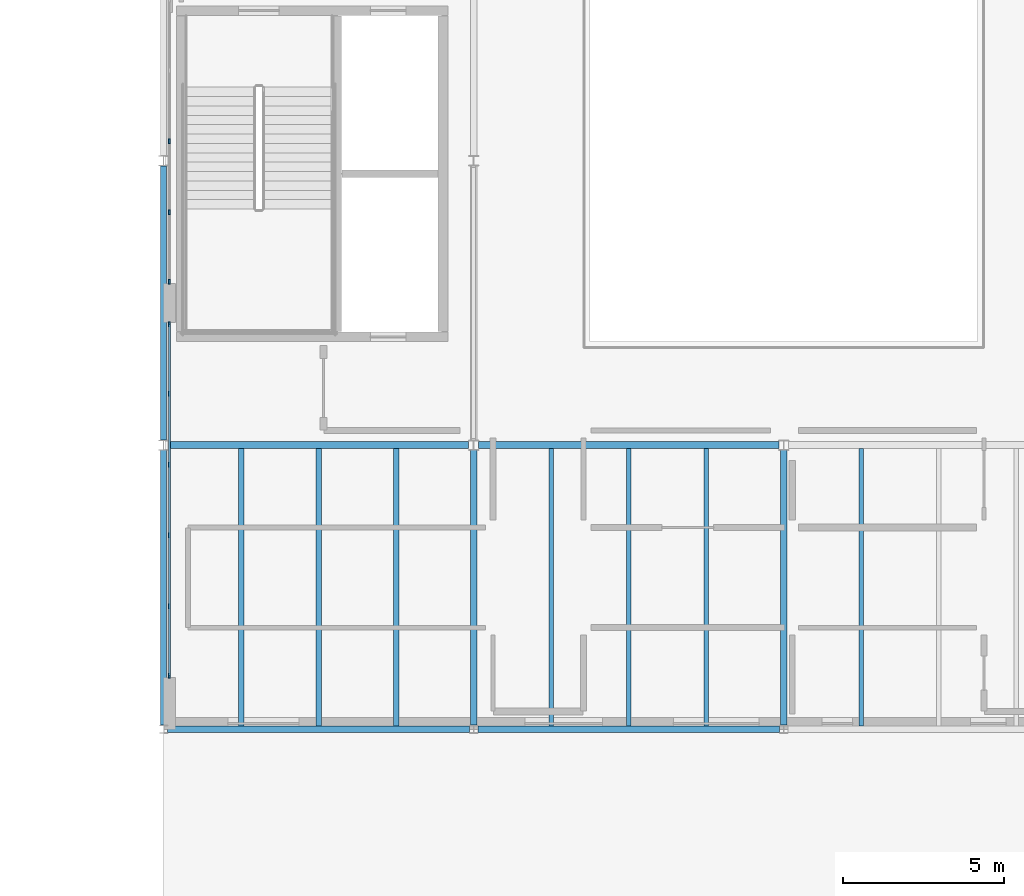
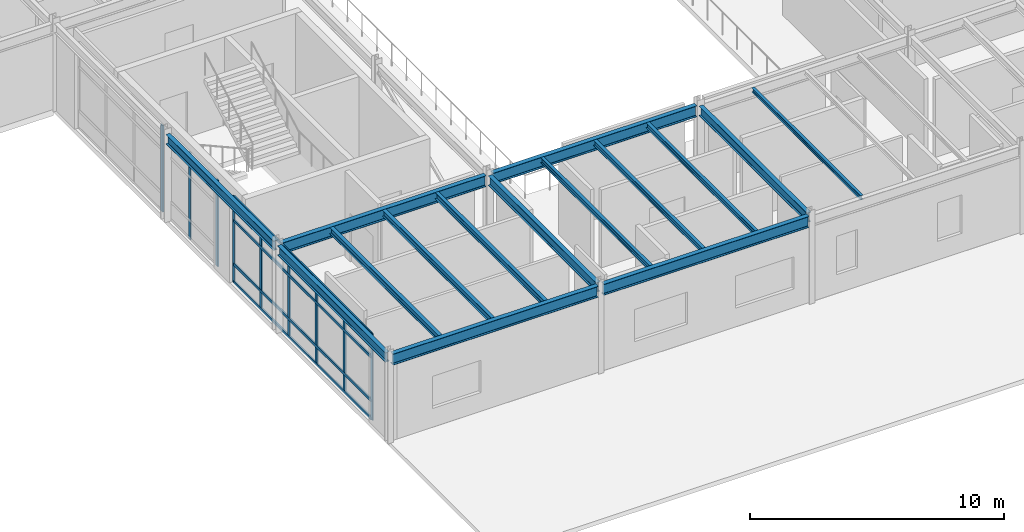
# One storey, part 20 of 69: 15 beams, 13 members, 2 elements without a shape of their own.
"""IFC4 building model written with IfcOpenShell, lengths in metres."""

from ifc_helpers import new_model, si_unit, direction, frame, origin, origin_2d, place, context, subcontext, project, spatial, rectangle, i_section, extrude, material, material_profile, profile_set, type_object, element, aggregate, save


model = new_model("IFC4")

# Units and contexts
model_context = context("Model", 3, precision=1e-05, world=origin(), true_north=direction((0.0, 1.0)))
body_context = subcontext(model_context, "Body", "Model", "MODEL_VIEW")
ifc_project = project(units=[si_unit("LENGTHUNIT", "METRE"), si_unit("AREAUNIT", "SQUARE_METRE"), si_unit("VOLUMEUNIT", "CUBIC_METRE"), si_unit("PLANEANGLEUNIT", "RADIAN"), si_unit("MASSUNIT", "GRAM", prefix="KILO")], contexts=[model_context])

# Site, building, storey
site_placement = place(None, origin())
site = spatial("IfcSite", under=ifc_project, at=site_placement, CompositionType="ELEMENT")
building_placement = place(site_placement, origin())
building = spatial("IfcBuilding", under=site, at=building_placement, Name="Sarnbrook Museum", CompositionType="ELEMENT")
storey_placement = place(building_placement, frame((0.0, 0.0, 14.60009765625)))
storey = spatial("IfcBuildingStorey", under=building, at=storey_placement, Name="L03", CompositionType="ELEMENT", Elevation=14.60009765625)

# Beams
ifc_material_1 = material(Name="Structural Steel Grade 300PLUS (AS/NZS 3679.1, fy = 280 MPa for 17 < t <= 40 mm, 300 MPa for t <= 17 mm)", Category="steel")
ifc_material_profile_1 = material_profile(ifc_material_1, i_section(OverallWidth=0.18994140625, OverallDepth=0.45703125, WebThickness=0.009033203125, FlangeThickness=0.014404296875, FilletRadius=0.011474609375, at=origin_2d()), Name="460UB74.6")
ifc_profile_set_1 = profile_set([ifc_material_profile_1], Name="Structural Steel Grade 300PLUS (AS/NZS 3679.1, fy = 280 MPa for 17 < t <= 40 mm, 300 MPa for t <= 17 mm)")
beam_type_1 = type_object("IfcBeamType", Name="BM-UB460", PredefinedType="BEAM", material=ifc_profile_set_1)
beam_1_placement = place(storey_placement, frame((80.800048828125, 48.126953125, 4.00146484375), z_axis=(0.0, 1.0, 0.0), x_axis=(-1.0, 0.0, 0.0)))
element("IfcBeam", 1, at=beam_1_placement, inside=storey, type_object=beam_type_1, Name="Girder 9:F-G L03", PredefinedType="BEAM", context=body_context, shape_type="SweptSolid", body=[
    extrude(i_section(OverallWidth=0.18994140625, OverallDepth=0.45703125, WebThickness=0.009033203125, FlangeThickness=0.014404296875, FilletRadius=0.011474609375, at=origin_2d()), origin(), (0.0, 0.0, 1.0), 8.515625),
])
beam_2_placement = place(storey_placement, frame((80.800048828125, 56.95751953125, 4.021484375), z_axis=(0.0, 1.0, 0.0), x_axis=(-1.0, 0.0, 0.0)))
element("IfcBeam", 2, at=beam_2_placement, inside=storey, type_object=beam_type_1, Name="Girder 9:G-H L03", PredefinedType="BEAM", context=body_context, shape_type="SweptSolid", body=[
    extrude(i_section(OverallWidth=0.18994140625, OverallDepth=0.45703125, WebThickness=0.009033203125, FlangeThickness=0.014404296875, FilletRadius=0.011474609375, at=origin_2d()), origin(), (0.0, 0.0, 1.0), 8.48486328125),
])
for number, where, z_axis, x_axis, name in (
    (3, (90.39990234375, 48.126953125, 4.00146484375), (0.0, 1.0, 0.0), (-1.0, 0.0, 0.0), "Girder 10:F-G L03"),
    (4, (100.0, 48.126953125, 4.00146484375), (0.0, 1.0, 0.0), (-1.0, 0.0, 0.0), "Girder 11:F-G L03"),
):
    element("IfcBeam", number, at=place(storey_placement, frame(where, z_axis=z_axis, x_axis=x_axis)), inside=storey, type_object=beam_type_1, Name=name, PredefinedType="BEAM", context=body_context, shape_type="SweptSolid", body=[
        extrude(i_section(OverallWidth=0.18994140625, OverallDepth=0.45703125, WebThickness=0.009033203125, FlangeThickness=0.014404296875, FilletRadius=0.011474609375, at=origin_2d()), origin(), (0.0, 0.0, 1.0), 8.515625),
    ])
ifc_material_profile_2 = material_profile(ifc_material_1, i_section(OverallWidth=0.208984375, OverallDepth=0.532958984375, WebThickness=0.01025390625, FlangeThickness=0.015625, FilletRadius=0.013916015625, at=origin_2d()), Name="530UB92.4")
ifc_profile_set_2 = profile_set([ifc_material_profile_2], Name="Structural Steel Grade 300PLUS (AS/NZS 3679.1, fy = 280 MPa for 17 < t <= 40 mm, 300 MPa for t <= 17 mm)")
beam_type_2 = type_object("IfcBeamType", Name="BM-UB530", PredefinedType="BEAM", material=ifc_profile_set_2)
for number, where, z_axis, x_axis, name in (
    (5, (80.927001953125, 48.0, 3.96337890625), (1.0, 0.0, 0.0), (0.0, 1.0, 0.0), "Girder F:9-10 L03"),
    (6, (90.527099609375, 48.0, 3.96337890625), (1.0, 0.0, 0.0), (0.0, 1.0, 0.0), "Girder F:10-11 L03"),
):
    element("IfcBeam", number, at=place(storey_placement, frame(where, z_axis=z_axis, x_axis=x_axis)), inside=storey, type_object=beam_type_2, Name=name, PredefinedType="BEAM", context=body_context, shape_type="SweptSolid", body=[
        extrude(i_section(OverallWidth=0.208984375, OverallDepth=0.532958984375, WebThickness=0.01025390625, FlangeThickness=0.015625, FilletRadius=0.013916015625, at=origin_2d()), origin(), (0.0, 0.0, 1.0), 9.345947265625),
    ])
for number, where, z_axis, x_axis, name in (
    (7, (80.95361328125, 56.800048828125, 3.96337890625), (1.0, 0.0, 0.0), (0.0, 1.0, 0.0), "Girder G:9-10 L03"),
    (8, (90.553466796875, 56.800048828125, 3.96337890625), (1.0, 0.0, 0.0), (0.0, 1.0, 0.0), "Girder G:10-11 L03"),
):
    element("IfcBeam", number, at=place(storey_placement, frame(where, z_axis=z_axis, x_axis=x_axis)), inside=storey, type_object=beam_type_2, Name=name, PredefinedType="BEAM", context=body_context, shape_type="SweptSolid", body=[
        extrude(i_section(OverallWidth=0.208984375, OverallDepth=0.532958984375, WebThickness=0.01025390625, FlangeThickness=0.015625, FilletRadius=0.013916015625, at=origin_2d()), origin(), (0.0, 0.0, 1.0), 9.29296875),
    ])

# Curtain wall, members
ifc_material_2 = material(Name="Thermally Broken Anodised Aluminium 6063-T6", Category="aluminium")
curtain_wall_type = type_object("IfcCurtainWallType", Name="CurtainWall_GalleryRibbon", PredefinedType="NOTDEFINED", material=ifc_material_2)
curtain_wall_1_placement = place(storey_placement, origin())
curtain_wall_1 = element("IfcCurtainWall", 9, at=curtain_wall_1_placement, inside=storey, type_object=curtain_wall_type, Name="Gallery Ribbon Curtain Wall L03-2.1", PredefinedType="NOTDEFINED")
ifc_material_profile_3 = material_profile(ifc_material_2, rectangle(XDim=0.06005859375, YDim=0.159912109375, at=origin_2d()), Name="ALU MULLION 60x160")
ifc_profile_set_3 = profile_set([ifc_material_profile_3], Name="Thermally Broken Anodised Aluminium 6063-T6")
member_type_1 = type_object("IfcMemberType", Name="CW_Mullion_150x65", PredefinedType="MULLION", material=ifc_profile_set_3)
member_1_placement = place(storey_placement, frame((80.97998046875, 66.2041015625, 0.0), z_axis=(0.0, 0.0, 1.0), x_axis=(1.0, 0.0, 0.0)))
member_1 = element("IfcMember", 10, at=member_1_placement, type_object=member_type_1, Name="Gallery Ribbon Curtain Wall L03-2.1 Mullion 4", PredefinedType="MULLION", context=body_context, shape_type="SweptSolid", body=[
    extrude(rectangle(XDim=0.06005859375, YDim=0.159912109375, at=origin_2d()), origin(), (0.0, 0.0, 1.0), 4.159912109375),
])
member_2_placement = place(storey_placement, frame((80.97998046875, 64.011962890625, 0.0), z_axis=(0.0, 0.0, 1.0), x_axis=(1.0, 0.0, 0.0)))
member_2 = element("IfcMember", 11, at=member_2_placement, type_object=member_type_1, Name="Gallery Ribbon Curtain Wall L03-2.1 Mullion 5", PredefinedType="MULLION", context=body_context, shape_type="SweptSolid", body=[
    extrude(rectangle(XDim=0.06005859375, YDim=0.159912109375, at=origin_2d()), origin(), (0.0, 0.0, 1.0), 4.159912109375),
])
member_3_placement = place(storey_placement, frame((80.97998046875, 61.860107421875, 0.0), z_axis=(0.0, 0.0, 1.0), x_axis=(1.0, 0.0, 0.0)))
member_3 = element("IfcMember", 12, at=member_3_placement, type_object=member_type_1, Name="Gallery Ribbon Curtain Wall L03-2.1 Mullion 6", PredefinedType="MULLION", context=body_context, shape_type="SweptSolid", body=[
    extrude(rectangle(XDim=0.06005859375, YDim=0.159912109375, at=origin_2d()), origin(), (0.0, 0.0, 1.0), 4.159912109375),
])
aggregate(curtain_wall_1, [member_1, member_2, member_3])

curtain_wall_2_placement = place(storey_placement, origin())
curtain_wall_2 = element("IfcCurtainWall", 13, at=curtain_wall_2_placement, inside=storey, type_object=curtain_wall_type, Name="Gallery Ribbon Curtain Wall L03-2.2", PredefinedType="NOTDEFINED")
member_4_placement = place(storey_placement, frame((80.97998046875, 60.5400390625, 0.0), z_axis=(0.0, 0.0, 1.0), x_axis=(1.0, 0.0, 0.0)))
member_4 = element("IfcMember", 14, at=member_4_placement, type_object=member_type_1, Name="Gallery Ribbon Curtain Wall L03-2.2 Mullion 1", PredefinedType="MULLION", context=body_context, shape_type="SweptSolid", body=[
    extrude(rectangle(XDim=0.06005859375, YDim=0.159912109375, at=origin_2d()), origin(), (0.0, 0.0, 1.0), 4.159912109375),
])
member_5_placement = place(storey_placement, frame((80.97998046875, 58.387939453125, 0.0), z_axis=(0.0, 0.0, 1.0), x_axis=(1.0, 0.0, 0.0)))
member_5 = element("IfcMember", 15, at=member_5_placement, type_object=member_type_1, Name="Gallery Ribbon Curtain Wall L03-2.2 Mullion 2", PredefinedType="MULLION", context=body_context, shape_type="SweptSolid", body=[
    extrude(rectangle(XDim=0.06005859375, YDim=0.159912109375, at=origin_2d()), origin(), (0.0, 0.0, 1.0), 4.159912109375),
])
member_6_placement = place(storey_placement, frame((80.97998046875, 56.196044921875, 0.0), z_axis=(0.0, 0.0, 1.0), x_axis=(1.0, 0.0, 0.0)))
member_6 = element("IfcMember", 16, at=member_6_placement, type_object=member_type_1, Name="Gallery Ribbon Curtain Wall L03-2.2 Mullion 3", PredefinedType="MULLION", context=body_context, shape_type="SweptSolid", body=[
    extrude(rectangle(XDim=0.06005859375, YDim=0.159912109375, at=origin_2d()), origin(), (0.0, 0.0, 1.0), 4.159912109375),
])
member_7_placement = place(storey_placement, frame((80.97998046875, 54.00390625, 0.0), z_axis=(0.0, 0.0, 1.0), x_axis=(1.0, 0.0, 0.0)))
member_7 = element("IfcMember", 17, at=member_7_placement, type_object=member_type_1, Name="Gallery Ribbon Curtain Wall L03-2.2 Mullion 4", PredefinedType="MULLION", context=body_context, shape_type="SweptSolid", body=[
    extrude(rectangle(XDim=0.06005859375, YDim=0.159912109375, at=origin_2d()), origin(), (0.0, 0.0, 1.0), 4.159912109375),
])
member_8_placement = place(storey_placement, frame((80.97998046875, 51.81201171875, 0.0), z_axis=(0.0, 0.0, 1.0), x_axis=(1.0, 0.0, 0.0)))
member_8 = element("IfcMember", 18, at=member_8_placement, type_object=member_type_1, Name="Gallery Ribbon Curtain Wall L03-2.2 Mullion 5", PredefinedType="MULLION", context=body_context, shape_type="SweptSolid", body=[
    extrude(rectangle(XDim=0.06005859375, YDim=0.159912109375, at=origin_2d()), origin(), (0.0, 0.0, 1.0), 4.159912109375),
])
member_9_placement = place(storey_placement, frame((80.97998046875, 49.659912109375, 0.0), z_axis=(0.0, 0.0, 1.0), x_axis=(1.0, 0.0, 0.0)))
member_9 = element("IfcMember", 19, at=member_9_placement, type_object=member_type_1, Name="Gallery Ribbon Curtain Wall L03-2.2 Mullion 6", PredefinedType="MULLION", context=body_context, shape_type="SweptSolid", body=[
    extrude(rectangle(XDim=0.06005859375, YDim=0.159912109375, at=origin_2d()), origin(), (0.0, 0.0, 1.0), 4.159912109375),
])
ifc_material_profile_4 = material_profile(ifc_material_2, rectangle(XDim=0.06494140625, YDim=0.139892578125, at=origin_2d()), Name="ALU TRANSOM 65x140")
ifc_profile_set_4 = profile_set([ifc_material_profile_4], Name="Thermally Broken Anodised Aluminium 6063-T6")
member_type_2 = type_object("IfcMemberType", Name="CW_Transom_150x65", PredefinedType="USERDEFINED", material=ifc_profile_set_4)
member_10_placement = place(storey_placement, frame((80.97998046875, 60.530029296875, 0.039794921875), z_axis=(0.0, -1.0, 0.0), x_axis=(1.0, 0.0, 0.0)))
member_10 = element("IfcMember", 20, at=member_10_placement, type_object=member_type_2, Name="Gallery Ribbon Curtain Wall L03-2.2 Transom 1", ObjectType="TRANSOM", PredefinedType="USERDEFINED", context=body_context, shape_type="SweptSolid", body=[
    extrude(rectangle(XDim=0.06494140625, YDim=0.139892578125, at=origin_2d()), origin(), (0.0, 0.0, 1.0), 10.860107421875),
])
member_11_placement = place(storey_placement, frame((80.97998046875, 60.530029296875, 0.89990234375), z_axis=(0.0, -1.0, 0.0), x_axis=(1.0, 0.0, 0.0)))
member_11 = element("IfcMember", 21, at=member_11_placement, type_object=member_type_2, Name="Gallery Ribbon Curtain Wall L03-2.2 Transom 2", ObjectType="TRANSOM", PredefinedType="USERDEFINED", context=body_context, shape_type="SweptSolid", body=[
    extrude(rectangle(XDim=0.06494140625, YDim=0.139892578125, at=origin_2d()), origin(), (0.0, 0.0, 1.0), 10.860107421875),
])
member_12_placement = place(storey_placement, frame((80.97998046875, 60.530029296875, 3.0), z_axis=(0.0, -1.0, 0.0), x_axis=(1.0, 0.0, 0.0)))
member_12 = element("IfcMember", 22, at=member_12_placement, type_object=member_type_2, Name="Gallery Ribbon Curtain Wall L03-2.2 Transom 3", ObjectType="TRANSOM", PredefinedType="USERDEFINED", context=body_context, shape_type="SweptSolid", body=[
    extrude(rectangle(XDim=0.06494140625, YDim=0.139892578125, at=origin_2d()), origin(), (0.0, 0.0, 1.0), 10.860107421875),
])
member_13_placement = place(storey_placement, frame((80.97998046875, 60.530029296875, 4.119873046875), z_axis=(0.0, -1.0, 0.0), x_axis=(1.0, 0.0, 0.0)))
member_13 = element("IfcMember", 23, at=member_13_placement, type_object=member_type_2, Name="Gallery Ribbon Curtain Wall L03-2.2 Transom 4", ObjectType="TRANSOM", PredefinedType="USERDEFINED", context=body_context, shape_type="SweptSolid", body=[
    extrude(rectangle(XDim=0.06494140625, YDim=0.139892578125, at=origin_2d()), origin(), (0.0, 0.0, 1.0), 10.860107421875),
])
aggregate(curtain_wall_2, [member_4, member_5, member_6, member_7, member_8, member_9, member_10, member_11, member_12, member_13])

# Beams
ifc_material_profile_5 = material_profile(ifc_material_1, i_section(OverallWidth=0.134033203125, OverallDepth=0.20703125, WebThickness=0.00634765625, FlangeThickness=0.009521484375, FilletRadius=0.0087890625, at=origin_2d()), Name="200UB29.8")
ifc_profile_set_5 = profile_set([ifc_material_profile_5], Name="Structural Steel Grade 300PLUS (AS/NZS 3679.1, fy = 280 MPa for 17 < t <= 40 mm, 300 MPa for t <= 17 mm)")
beam_type_3 = type_object("IfcBeamType", Name="JS-UB200", PredefinedType="JOIST", material=ifc_profile_set_5)
beam_3_placement = place(storey_placement, frame((102.39990234375, 48.1044921875, 4.12646484375), z_axis=(0.0, 1.0, 0.0), x_axis=(-1.0, 0.0, 0.0)))
element("IfcBeam", 24, at=beam_3_placement, inside=storey, type_object=beam_type_3, Name="Composite Floor Joist 11F-1 L03", PredefinedType="JOIST", context=body_context, shape_type="SweptSolid", body=[
    extrude(i_section(OverallWidth=0.134033203125, OverallDepth=0.20703125, WebThickness=0.00634765625, FlangeThickness=0.009521484375, FilletRadius=0.0087890625, at=origin_2d()), origin(), (0.0, 0.0, 1.0), 8.591064453125),
])
ifc_material_profile_6 = material_profile(ifc_material_1, i_section(OverallWidth=0.14599609375, OverallDepth=0.256103515625, WebThickness=0.00634765625, FlangeThickness=0.010986328125, FilletRadius=0.0087890625, at=origin_2d()), Name="250UB37.3")
ifc_profile_set_6 = profile_set([ifc_material_profile_6], Name="Structural Steel Grade 300PLUS (AS/NZS 3679.1, fy = 280 MPa for 17 < t <= 40 mm, 300 MPa for t <= 17 mm)")
beam_type_4 = type_object("IfcBeamType", Name="JS-UB250", PredefinedType="JOIST", material=ifc_profile_set_6)
for number, where, z_axis, x_axis, name in (
    (25, (92.800048828125, 48.1044921875, 4.101806640625), (0.0, 1.0, 0.0), (-1.0, 0.0, 0.0), "Composite Floor Joist 10F-1 L03"),
    (26, (95.199951171875, 48.1044921875, 4.101806640625), (0.0, 1.0, 0.0), (-1.0, 0.0, 0.0), "Composite Floor Joist 10F-2 L03"),
    (27, (97.60009765625, 48.1044921875, 4.101806640625), (0.0, 1.0, 0.0), (-1.0, 0.0, 0.0), "Composite Floor Joist 10F-3 L03"),
):
    element("IfcBeam", number, at=place(storey_placement, frame(where, z_axis=z_axis, x_axis=x_axis)), inside=storey, type_object=beam_type_4, Name=name, PredefinedType="JOIST", context=body_context, shape_type="SweptSolid", body=[
        extrude(i_section(OverallWidth=0.14599609375, OverallDepth=0.256103515625, WebThickness=0.00634765625, FlangeThickness=0.010986328125, FilletRadius=0.0087890625, at=origin_2d()), origin(), (0.0, 0.0, 1.0), 8.591064453125),
    ])
ifc_material_profile_7 = material_profile(ifc_material_1, i_section(OverallWidth=0.1650390625, OverallDepth=0.303955078125, WebThickness=0.006103515625, FlangeThickness=0.01025390625, FilletRadius=0.011474609375, at=origin_2d()), Name="310UB40.4")
ifc_profile_set_7 = profile_set([ifc_material_profile_7], Name="Structural Steel Grade 300PLUS (AS/NZS 3679.1, fy = 280 MPa for 17 < t <= 40 mm, 300 MPa for t <= 17 mm)")
beam_type_5 = type_object("IfcBeamType", Name="JS-UB310", PredefinedType="JOIST", material=ifc_profile_set_7)
for number, where, z_axis, x_axis, name in (
    (28, (83.199951171875, 48.1044921875, 4.077880859375), (0.0, 1.0, 0.0), (-1.0, 0.0, 0.0), "Composite Floor Joist 9F-1 L03"),
    (29, (85.60009765625, 48.1044921875, 4.077880859375), (0.0, 1.0, 0.0), (-1.0, 0.0, 0.0), "Composite Floor Joist 9F-2 L03"),
    (30, (88.0, 48.1044921875, 4.077880859375), (0.0, 1.0, 0.0), (-1.0, 0.0, 0.0), "Composite Floor Joist 9F-3 L03"),
):
    element("IfcBeam", number, at=place(storey_placement, frame(where, z_axis=z_axis, x_axis=x_axis)), inside=storey, type_object=beam_type_5, Name=name, PredefinedType="JOIST", context=body_context, shape_type="SweptSolid", body=[
        extrude(i_section(OverallWidth=0.1650390625, OverallDepth=0.303955078125, WebThickness=0.006103515625, FlangeThickness=0.01025390625, FilletRadius=0.011474609375, at=origin_2d()), origin(), (0.0, 0.0, 1.0), 8.591064453125),
    ])

save(model, "model.ifc")
